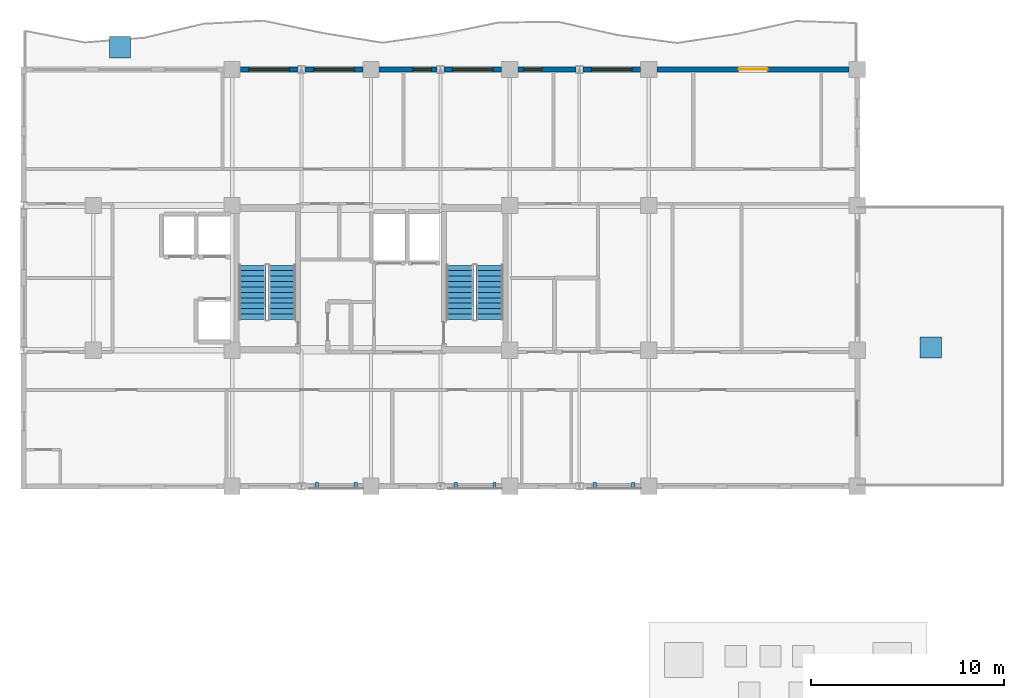
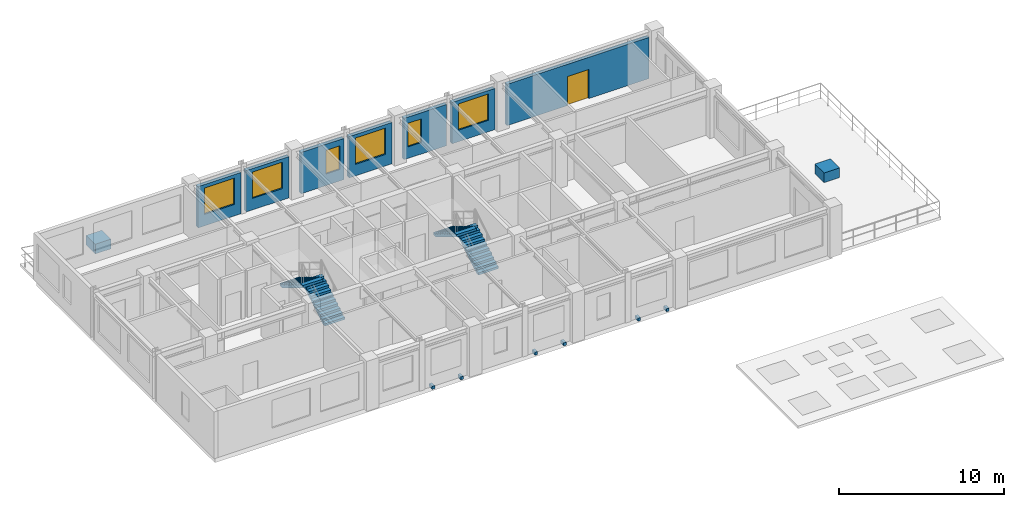
# One storey, part 6 of 8: 8 discrete accessories, 7 walls, 6 windows, 4 stair flights, 1 door, 7 openings, 2 elements without a shape of their own.
"""IFC4 building model written with IfcOpenShell, lengths in metres."""

from ifc_helpers import new_model, si_unit, direction, frame, frame_2d, origin, origin_2d, place, context, subcontext, project, spatial, polyline, rectangle, outline, extrude, source, transform, mapped, material, layer, layer_set, type_object, element, fill, aggregate, save


model = new_model("IFC4")

# Units and contexts
model_context = context("Model", 3, precision=1e-05, world=origin(), true_north=direction((0.0, 1.0)))
body_context = subcontext(model_context, "Body", "Model", "MODEL_VIEW")
ifc_project = project(units=[si_unit("LENGTHUNIT", "METRE"), si_unit("AREAUNIT", "SQUARE_METRE"), si_unit("VOLUMEUNIT", "CUBIC_METRE"), si_unit("PLANEANGLEUNIT", "RADIAN"), si_unit("MASSUNIT", "GRAM", prefix="KILO")], contexts=[model_context])

# Site, building, storey
site_placement = place(None, origin())
site = spatial("IfcSite", under=ifc_project, at=site_placement, CompositionType="ELEMENT")
building_placement = place(site_placement, origin())
building = spatial("IfcBuilding", under=site, at=building_placement, Name="Kaliganga Portal Commons", CompositionType="ELEMENT")
storey_placement = place(building_placement, frame((0.0, 0.0, 249.89990234375)))
storey = spatial("IfcBuildingStorey", under=building, at=storey_placement, Name="L64", CompositionType="ELEMENT", Elevation=249.89990234375)

# Wall, opening, door
ifc_material_1 = material(Name="Insulated Aluminium-Clad Spandrel Assembly", Category="aluminium")
ifc_layer = layer(ifc_material_1, 0.260009765625)
ifc_layer_set = layer_set([ifc_layer], Name="Insulated Aluminium-Clad Spandrel Assembly")
wall_type = type_object("IfcWallType", Name="WL-EXT-SPAND-260", PredefinedType="STANDARD", material=ifc_layer_set)
wall_1_placement = place(storey_placement, frame((36.426025390625, 43.199951171875, 0.0), z_axis=(0.0, 0.0, 1.0), x_axis=(1.0, 0.0, 0.0)))
wall_1 = element("IfcWall", 1, at=wall_1_placement, inside=storey, type_object=wall_type, Name="Exterior Envelope Wall L64 P1-E02-S1", PredefinedType="STANDARD", context=body_context, shape_type="SweptSolid", body=[
    extrude(rectangle(XDim=9.947998046875, YDim=0.260009765625, at=frame_2d((4.97412109375, 0.0))), origin(), (0.0, 0.0, 1.0), 3.05517578125),
])
opening_1_placement = place(wall_1_placement, frame((4.22412109375, 0.0, 0.0)))
opening_1 = element("IfcOpeningElement", 2, at=opening_1_placement, cuts=wall_1, Name="Opening BD-01", PredefinedType="OPENING", context=body_context, shape_type="SweptSolid", body=[
    extrude(rectangle(XDim=1.5, YDim=2.14990234375, at=frame_2d((0.75, 1.074951171875))), frame((0.0, 0.14013671875, 0.0), z_axis=(0.0, -1.0, 0.0), x_axis=(1.0, 0.0, 0.0)), (0.0, 0.0, 1.0), 0.280029296875),
])
ifc_material_2 = material(Name="Anodized Aluminium and Laminated Safety Glass", Category="aluminium")
door_type = type_object("IfcDoorType", Name="DR-BALC-1500", OperationType="SLIDING_TO_LEFT", PredefinedType="DOOR", material=ifc_material_2)
door_placement = place(opening_1_placement, origin())
door = element("IfcDoor", 3, at=door_placement, inside=storey, type_object=door_type, Name="Balcony Sliding Door L64 balc_north", OperationType="SLIDING_TO_LEFT", OverallHeight=2.14990234375, OverallWidth=1.5, PredefinedType="DOOR", context=body_context, shape_type="SweptSolid", body=[
    extrude(rectangle(XDim=1.5, YDim=2.14990234375, at=frame_2d((0.75, 1.074951171875))), frame((0.0, 0.02490234375, 0.0), z_axis=(0.0, -1.0, 0.0), x_axis=(1.0, 0.0, 0.0)), (0.0, 0.0, 1.0), 0.050048828125),
])
fill(opening_1, door)

# Wall, opening, window
wall_2_placement = place(storey_placement, frame((32.587890625, 43.199951171875, 0.0), z_axis=(0.0, 0.0, 1.0), x_axis=(1.0, 0.0, 0.0)))
wall_2 = element("IfcWall", 4, at=wall_2_placement, inside=storey, type_object=wall_type, Name="Exterior Envelope Wall L64 P1-E02-S2", PredefinedType="STANDARD", context=body_context, shape_type="SweptSolid", body=[
    extrude(rectangle(XDim=2.986083984375, YDim=0.260009765625, at=frame_2d((1.4931640625, 0.0))), origin(), (0.0, 0.0, 1.0), 3.05517578125),
])
opening_2_placement = place(wall_2_placement, frame((0.443115234375, 0.0, 0.85009765625)))
opening_2 = element("IfcOpeningElement", 5, at=opening_2_placement, cuts=wall_2, Name="Opening W-06", PredefinedType="OPENING", context=body_context, shape_type="SweptSolid", body=[
    extrude(rectangle(XDim=2.10009765625, YDim=1.949951171875, at=frame_2d((1.050048828125, 0.97509765625))), frame((0.0, 0.14013671875, 0.0), z_axis=(0.0, -1.0, 0.0), x_axis=(1.0, 0.0, 0.0)), (0.0, 0.0, 1.0), 0.280029296875),
])
ifc_material_3 = material(Name="Thermally Broken Aluminium and Low-E Double Glazing", Category="aluminium")
window_type_1 = type_object("IfcWindowType", Name="WIN-PAN-2100", PartitioningType="DOUBLE_PANEL_VERTICAL", PredefinedType="WINDOW", material=ifc_material_3)
window_1_placement = place(opening_2_placement, origin())
window_1 = element("IfcWindow", 6, at=window_1_placement, inside=storey, type_object=window_type_1, Name="Facade Window L64-P1E02S2-00", OverallHeight=1.949951171875, OverallWidth=2.10009765625, PartitioningType="SINGLE_PANEL", PredefinedType="WINDOW", context=body_context, shape_type="SweptSolid", body=[
    extrude(rectangle(XDim=2.10009765625, YDim=1.949951171875, at=frame_2d((1.050048828125, 0.97509765625))), frame((0.0, 0.030029296875, 0.0), z_axis=(0.0, -1.0, 0.0), x_axis=(1.0, 0.0, 0.0)), (0.0, 0.0, 1.0), 0.06005859375),
])
fill(opening_2, window_1)

wall_3_placement = place(storey_placement, frame((29.22607421875, 43.199951171875, 0.0), z_axis=(0.0, 0.0, 1.0), x_axis=(1.0, 0.0, 0.0)))
wall_3 = element("IfcWall", 7, at=wall_3_placement, inside=storey, type_object=wall_type, Name="Exterior Envelope Wall L64 P1-E02-S3", PredefinedType="STANDARD", context=body_context, shape_type="SweptSolid", body=[
    extrude(rectangle(XDim=2.98583984375, YDim=0.260009765625, at=frame_2d((1.492919921875, 0.0))), origin(), (0.0, 0.0, 1.0), 3.05517578125),
])
opening_3_placement = place(wall_3_placement, frame((0.277587890625, 0.0, 0.85009765625)))
opening_3 = element("IfcOpeningElement", 8, at=opening_3_placement, cuts=wall_3, Name="Opening W-04", PredefinedType="OPENING", context=body_context, shape_type="SweptSolid", body=[
    extrude(rectangle(XDim=0.949951171875, YDim=1.75, at=frame_2d((0.47509765625, 0.875))), frame((0.0, 0.14013671875, 0.0), z_axis=(0.0, -1.0, 0.0), x_axis=(1.0, 0.0, 0.0)), (0.0, 0.0, 1.0), 0.280029296875),
])
window_type_2 = type_object("IfcWindowType", Name="WIN-NARROW-950", PartitioningType="SINGLE_PANEL", PredefinedType="WINDOW", material=ifc_material_3)
window_2_placement = place(opening_3_placement, origin())
window_2 = element("IfcWindow", 9, at=window_2_placement, inside=storey, type_object=window_type_2, Name="Facade Window L64-P1E02S3-N1", OverallHeight=1.75, OverallWidth=0.949951171875, PartitioningType="SINGLE_PANEL", PredefinedType="WINDOW", context=body_context, shape_type="SweptSolid", body=[
    extrude(rectangle(XDim=0.949951171875, YDim=1.75, at=frame_2d((0.47509765625, 0.875))), frame((0.0, 0.030029296875, 0.0), z_axis=(0.0, -1.0, 0.0), x_axis=(1.0, 0.0, 0.0)), (0.0, 0.0, 1.0), 0.06005859375),
])
fill(opening_3, window_2)

wall_4_placement = place(storey_placement, frame((25.387939453125, 43.199951171875, 0.0), z_axis=(0.0, 0.0, 1.0), x_axis=(1.0, 0.0, 0.0)))
wall_4 = element("IfcWall", 10, at=wall_4_placement, inside=storey, type_object=wall_type, Name="Exterior Envelope Wall L64 P1-E02-S4", PredefinedType="STANDARD", context=body_context, shape_type="SweptSolid", body=[
    extrude(rectangle(XDim=2.986083984375, YDim=0.260009765625, at=frame_2d((1.4931640625, 0.0))), origin(), (0.0, 0.0, 1.0), 3.05517578125),
])
opening_4_placement = place(wall_4_placement, frame((0.443115234375, 0.0, 0.85009765625)))
opening_4 = element("IfcOpeningElement", 11, at=opening_4_placement, cuts=wall_4, Name="Opening W-06", PredefinedType="OPENING", context=body_context, shape_type="SweptSolid", body=[
    extrude(rectangle(XDim=2.10009765625, YDim=1.949951171875, at=frame_2d((1.050048828125, 0.97509765625))), frame((0.0, 0.14013671875, 0.0), z_axis=(0.0, -1.0, 0.0), x_axis=(1.0, 0.0, 0.0)), (0.0, 0.0, 1.0), 0.280029296875),
])
window_3_placement = place(opening_4_placement, origin())
window_3 = element("IfcWindow", 12, at=window_3_placement, inside=storey, type_object=window_type_1, Name="Facade Window L64-P1E02S4-00", OverallHeight=1.949951171875, OverallWidth=2.10009765625, PartitioningType="SINGLE_PANEL", PredefinedType="WINDOW", context=body_context, shape_type="SweptSolid", body=[
    extrude(rectangle(XDim=2.10009765625, YDim=1.949951171875, at=frame_2d((1.050048828125, 0.97509765625))), frame((0.0, 0.030029296875, 0.0), z_axis=(0.0, -1.0, 0.0), x_axis=(1.0, 0.0, 0.0)), (0.0, 0.0, 1.0), 0.06005859375),
])
fill(opening_4, window_3)

wall_5_placement = place(storey_placement, frame((22.02587890625, 43.199951171875, 0.0), z_axis=(0.0, 0.0, 1.0), x_axis=(1.0, 0.0, 0.0)))
wall_5 = element("IfcWall", 13, at=wall_5_placement, inside=storey, type_object=wall_type, Name="Exterior Envelope Wall L64 P1-E02-S5", PredefinedType="STANDARD", context=body_context, shape_type="SweptSolid", body=[
    extrude(rectangle(XDim=2.986083984375, YDim=0.260009765625, at=frame_2d((1.4931640625, 0.0))), origin(), (0.0, 0.0, 1.0), 3.05517578125),
])
opening_5_placement = place(wall_5_placement, frame((1.758544921875, 0.0, 0.85009765625)))
opening_5 = element("IfcOpeningElement", 14, at=opening_5_placement, cuts=wall_5, Name="Opening W-04", PredefinedType="OPENING", context=body_context, shape_type="SweptSolid", body=[
    extrude(rectangle(XDim=0.949951171875, YDim=1.75, at=frame_2d((0.47509765625, 0.875))), frame((0.0, 0.14013671875, 0.0), z_axis=(0.0, -1.0, 0.0), x_axis=(1.0, 0.0, 0.0)), (0.0, 0.0, 1.0), 0.280029296875),
])
window_4_placement = place(opening_5_placement, origin())
window_4 = element("IfcWindow", 15, at=window_4_placement, inside=storey, type_object=window_type_2, Name="Facade Window L64-P1E02S5-N2", OverallHeight=1.75, OverallWidth=0.949951171875, PartitioningType="SINGLE_PANEL", PredefinedType="WINDOW", context=body_context, shape_type="SweptSolid", body=[
    extrude(rectangle(XDim=0.949951171875, YDim=1.75, at=frame_2d((0.47509765625, 0.875))), frame((0.0, 0.030029296875, 0.0), z_axis=(0.0, -1.0, 0.0), x_axis=(1.0, 0.0, 0.0)), (0.0, 0.0, 1.0), 0.06005859375),
])
fill(opening_5, window_4)

wall_6_placement = place(storey_placement, frame((18.18798828125, 43.199951171875, 0.0), z_axis=(0.0, 0.0, 1.0), x_axis=(1.0, 0.0, 0.0)))
wall_6 = element("IfcWall", 16, at=wall_6_placement, inside=storey, type_object=wall_type, Name="Exterior Envelope Wall L64 P1-E02-S6", PredefinedType="STANDARD", context=body_context, shape_type="SweptSolid", body=[
    extrude(rectangle(XDim=2.986083984375, YDim=0.260009765625, at=frame_2d((1.4931640625, 0.0))), origin(), (0.0, 0.0, 1.0), 3.05517578125),
])
opening_6_placement = place(wall_6_placement, frame((0.443115234375, 0.0, 0.85009765625)))
opening_6 = element("IfcOpeningElement", 17, at=opening_6_placement, cuts=wall_6, Name="Opening W-06", PredefinedType="OPENING", context=body_context, shape_type="SweptSolid", body=[
    extrude(rectangle(XDim=2.10009765625, YDim=1.949951171875, at=frame_2d((1.050048828125, 0.97509765625))), frame((0.0, 0.14013671875, 0.0), z_axis=(0.0, -1.0, 0.0), x_axis=(1.0, 0.0, 0.0)), (0.0, 0.0, 1.0), 0.280029296875),
])
window_5_placement = place(opening_6_placement, origin())
window_5 = element("IfcWindow", 18, at=window_5_placement, inside=storey, type_object=window_type_1, Name="Facade Window L64-P1E02S6-00", OverallHeight=1.949951171875, OverallWidth=2.10009765625, PartitioningType="SINGLE_PANEL", PredefinedType="WINDOW", context=body_context, shape_type="SweptSolid", body=[
    extrude(rectangle(XDim=2.10009765625, YDim=1.949951171875, at=frame_2d((1.050048828125, 0.97509765625))), frame((0.0, 0.030029296875, 0.0), z_axis=(0.0, -1.0, 0.0), x_axis=(1.0, 0.0, 0.0)), (0.0, 0.0, 1.0), 0.06005859375),
])
fill(opening_6, window_5)

wall_7_placement = place(storey_placement, frame((14.825927734375, 43.199951171875, 0.0), z_axis=(0.0, 0.0, 1.0), x_axis=(1.0, 0.0, 0.0)))
wall_7 = element("IfcWall", 19, at=wall_7_placement, inside=storey, type_object=wall_type, Name="Exterior Envelope Wall L64 P1-E02-S7", PredefinedType="STANDARD", context=body_context, shape_type="SweptSolid", body=[
    extrude(rectangle(XDim=2.986083984375, YDim=0.260009765625, at=frame_2d((1.4931640625, 0.0))), origin(), (0.0, 0.0, 1.0), 3.05517578125),
])
opening_7_placement = place(wall_7_placement, frame((0.443115234375, 0.0, 0.85009765625)))
opening_7 = element("IfcOpeningElement", 20, at=opening_7_placement, cuts=wall_7, Name="Opening W-06", PredefinedType="OPENING", context=body_context, shape_type="SweptSolid", body=[
    extrude(rectangle(XDim=2.10009765625, YDim=1.949951171875, at=frame_2d((1.050048828125, 0.97509765625))), frame((0.0, 0.14013671875, 0.0), z_axis=(0.0, -1.0, 0.0), x_axis=(1.0, 0.0, 0.0)), (0.0, 0.0, 1.0), 0.280029296875),
])
window_6_placement = place(opening_7_placement, origin())
window_6 = element("IfcWindow", 21, at=window_6_placement, inside=storey, type_object=window_type_1, Name="Facade Window L64-P1E02S7-00", OverallHeight=1.949951171875, OverallWidth=2.10009765625, PartitioningType="SINGLE_PANEL", PredefinedType="WINDOW", context=body_context, shape_type="SweptSolid", body=[
    extrude(rectangle(XDim=2.10009765625, YDim=1.949951171875, at=frame_2d((1.050048828125, 0.97509765625))), frame((0.0, 0.030029296875, 0.0), z_axis=(0.0, -1.0, 0.0), x_axis=(1.0, 0.0, 0.0)), (0.0, 0.0, 1.0), 0.06005859375),
])
fill(opening_7, window_6)

# Stair, stair flights
ifc_material_4 = material(Name="Concrete C40/50", Category="concrete")
stair_type = type_object("IfcStairType", Name="ST-CORE-DOGLEG", PredefinedType="HALF_TURN_STAIR", material=ifc_material_4)
stair_1_placement = place(storey_placement, origin())
stair_1 = element("IfcStair", 22, at=stair_1_placement, inside=storey, type_object=stair_type, Name="L64 Protected Exit Stair ST-A1", PredefinedType="HALF_TURN_STAIR")
stair_flight_type = type_object("IfcStairFlightType", Name="STF-RC-1400", PredefinedType="STRAIGHT", material=ifc_material_4)
stair_flight_1_placement = place(storey_placement, frame((17.0, 30.25, 0.0), z_axis=(0.0, 0.0, 1.0), x_axis=(0.0, 1.0, 0.0)))
stair_flight_1 = element("IfcStairFlight", 23, at=stair_flight_1_placement, type_object=stair_flight_type, Name="ST-A1 flight 1", NumberOfRisers=11, NumberOfTreads=10, PredefinedType="STRAIGHT", RiserHeight=0.168181818, TreadLength=0.28, context=body_context, shape_type="SweptSolid", body=[
    extrude(outline(polyline([(0.0, 0.0), (0.0, 0.168212890625), (0.280029296875, 0.168212890625), (0.280029296875, 0.33642578125), (0.56005859375, 0.33642578125), (0.56005859375, 0.504638671875), (0.840087890625, 0.504638671875), (0.840087890625, 0.672607421875), (1.1201171875, 0.672607421875), (1.1201171875, 0.8408203125), (1.39990234375, 0.8408203125), (1.39990234375, 1.009033203125), (1.679931640625, 1.009033203125), (1.679931640625, 1.17724609375), (1.9599609375, 1.17724609375), (1.9599609375, 1.345458984375), (2.239990234375, 1.345458984375), (2.239990234375, 1.513671875), (2.52001953125, 1.513671875), (2.52001953125, 1.681884765625), (2.800048828125, 1.681884765625), (2.800048828125, 1.85009765625), (2.800048828125, 1.5068359375), (0.291015625, 0.0), (0.0, 0.0)])), frame((0.0, 0.699951171875, 0.0), z_axis=(0.0, -1.0, 0.0), x_axis=(1.0, 0.0, 0.0)), (0.0, 0.0, 1.0), 1.39990234375),
])
stair_flight_2_placement = place(storey_placement, frame((15.449951171875, 33.050048828125, 1.85009765625), z_axis=(0.0, 0.0, 1.0), x_axis=(0.0, -1.0, 0.0)))
stair_flight_2 = element("IfcStairFlight", 24, at=stair_flight_2_placement, type_object=stair_flight_type, Name="ST-A1 flight 2", NumberOfRisers=11, NumberOfTreads=10, PredefinedType="STRAIGHT", RiserHeight=0.168181818, TreadLength=0.28, context=body_context, shape_type="SweptSolid", body=[
    extrude(outline(polyline([(0.0, 0.0), (0.0, 0.168212890625), (0.280029296875, 0.168212890625), (0.280029296875, 0.33642578125), (0.56005859375, 0.33642578125), (0.56005859375, 0.504638671875), (0.840087890625, 0.504638671875), (0.840087890625, 0.672607421875), (1.1201171875, 0.672607421875), (1.1201171875, 0.8408203125), (1.39990234375, 0.8408203125), (1.39990234375, 1.009033203125), (1.679931640625, 1.009033203125), (1.679931640625, 1.17724609375), (1.9599609375, 1.17724609375), (1.9599609375, 1.345458984375), (2.239990234375, 1.345458984375), (2.239990234375, 1.513671875), (2.52001953125, 1.513671875), (2.52001953125, 1.681884765625), (2.800048828125, 1.681884765625), (2.800048828125, 1.85009765625), (2.800048828125, 1.5068359375), (0.291015625, 0.0), (0.0, 0.0)])), frame((0.0, 0.699951171875, 0.0), z_axis=(0.0, -1.0, 0.0), x_axis=(1.0, 0.0, 0.0)), (0.0, 0.0, 1.0), 1.39990234375),
])
aggregate(stair_1, [stair_flight_1, stair_flight_2])

stair_2_placement = place(storey_placement, origin())
stair_2 = element("IfcStair", 25, at=stair_2_placement, inside=storey, type_object=stair_type, Name="L64 Protected Exit Stair ST-A2", PredefinedType="HALF_TURN_STAIR")
stair_flight_3_placement = place(storey_placement, frame((27.75, 30.25, 0.0), z_axis=(0.0, 0.0, 1.0), x_axis=(0.0, 1.0, 0.0)))
stair_flight_3 = element("IfcStairFlight", 26, at=stair_flight_3_placement, type_object=stair_flight_type, Name="ST-A2 flight 1", NumberOfRisers=11, NumberOfTreads=10, PredefinedType="STRAIGHT", RiserHeight=0.168181818, TreadLength=0.28, context=body_context, shape_type="SweptSolid", body=[
    extrude(outline(polyline([(0.0, 0.0), (0.0, 0.168212890625), (0.280029296875, 0.168212890625), (0.280029296875, 0.33642578125), (0.56005859375, 0.33642578125), (0.56005859375, 0.504638671875), (0.840087890625, 0.504638671875), (0.840087890625, 0.672607421875), (1.1201171875, 0.672607421875), (1.1201171875, 0.8408203125), (1.39990234375, 0.8408203125), (1.39990234375, 1.009033203125), (1.679931640625, 1.009033203125), (1.679931640625, 1.17724609375), (1.9599609375, 1.17724609375), (1.9599609375, 1.345458984375), (2.239990234375, 1.345458984375), (2.239990234375, 1.513671875), (2.52001953125, 1.513671875), (2.52001953125, 1.681884765625), (2.800048828125, 1.681884765625), (2.800048828125, 1.85009765625), (2.800048828125, 1.5068359375), (0.291015625, 0.0), (0.0, 0.0)])), frame((0.0, 0.699951171875, 0.0), z_axis=(0.0, -1.0, 0.0), x_axis=(1.0, 0.0, 0.0)), (0.0, 0.0, 1.0), 1.39990234375),
])
stair_flight_4_placement = place(storey_placement, frame((26.199951171875, 33.050048828125, 1.85009765625), z_axis=(0.0, 0.0, 1.0), x_axis=(0.0, -1.0, 0.0)))
stair_flight_4 = element("IfcStairFlight", 27, at=stair_flight_4_placement, type_object=stair_flight_type, Name="ST-A2 flight 2", NumberOfRisers=11, NumberOfTreads=10, PredefinedType="STRAIGHT", RiserHeight=0.168181818, TreadLength=0.28, context=body_context, shape_type="SweptSolid", body=[
    extrude(outline(polyline([(0.0, 0.0), (0.0, 0.168212890625), (0.280029296875, 0.168212890625), (0.280029296875, 0.33642578125), (0.56005859375, 0.33642578125), (0.56005859375, 0.504638671875), (0.840087890625, 0.504638671875), (0.840087890625, 0.672607421875), (1.1201171875, 0.672607421875), (1.1201171875, 0.8408203125), (1.39990234375, 0.8408203125), (1.39990234375, 1.009033203125), (1.679931640625, 1.009033203125), (1.679931640625, 1.17724609375), (1.9599609375, 1.17724609375), (1.9599609375, 1.345458984375), (2.239990234375, 1.345458984375), (2.239990234375, 1.513671875), (2.52001953125, 1.513671875), (2.52001953125, 1.681884765625), (2.800048828125, 1.681884765625), (2.800048828125, 1.85009765625), (2.800048828125, 1.5068359375), (0.291015625, 0.0), (0.0, 0.0)])), frame((0.0, 0.699951171875, 0.0), z_axis=(0.0, -1.0, 0.0), x_axis=(1.0, 0.0, 0.0)), (0.0, 0.0, 1.0), 1.39990234375),
])
aggregate(stair_2, [stair_flight_3, stair_flight_4])

# Discrete accessories
ifc_material_5 = material(Name="Precast concrete C40/50", Category="concrete")
discrete_accessory_type_1 = type_object("IfcDiscreteAccessoryType", Name="DAC-PLANTER-RC", PredefinedType="USERDEFINED", material=ifc_material_5)
shared_shape_1 = source(origin(), body_context, "Body", "SweptSolid", [
    extrude(rectangle(XDim=1.10009765625, YDim=1.10009765625, at=origin_2d()), origin(), (0.0, 0.0, 1.0), 0.719970703125),
])
for number, where, z_axis, x_axis, name in (
    (28, (8.60009765625, 44.35009765625, 0.0), (0.0, 0.0, 1.0), (1.0, 0.0, 0.0), "Structural Tree Planter L64 balc_north"),
    (29, (50.60009765625, 28.800048828125, 0.0), (0.0, 0.0, 1.0), (1.0, 0.0, 0.0), "Sky-Garden Tree Planter L64 wing_b_roof_terrace"),
):
    element("IfcDiscreteAccessory", number, at=place(storey_placement, frame(where, z_axis=z_axis, x_axis=x_axis)), inside=storey, type_object=discrete_accessory_type_1, Name=name, ObjectType="PLANTER", PredefinedType="USERDEFINED", context=body_context, shape_type="MappedRepresentation", body=[
        mapped(shared_shape_1, transform((0.0, 0.0, 0.0), x_axis=(1.0, 0.0, 0.0), y_axis=(0.0, 1.0, 0.0), z_axis=(0.0, 0.0, 1.0), scale=1.0)),
    ])
ifc_material_6 = material(Name="Structural steel S355J2", Category="steel")
discrete_accessory_type_2 = type_object("IfcDiscreteAccessoryType", Name="DAC-BRK-SCR", PredefinedType="BRACKET", material=ifc_material_6)
shared_shape_2 = source(origin(), body_context, "Body", "SweptSolid", [
    extrude(rectangle(XDim=0.179931640625, YDim=0.360107421875, at=origin_2d()), origin(), (0.0, 0.0, 1.0), 0.219970703125),
])
for number, where, z_axis, x_axis, name in (
    (30, (18.800048828125, 21.6201171875, -0.18994140625), (0.0, 0.0, 1.0), (1.0, 0.0, 0.0), "Solar Screen Outrigger Bracket L64-S1-1"),
    (31, (20.800048828125, 21.6201171875, -0.18994140625), (0.0, 0.0, 1.0), (1.0, 0.0, 0.0), "Solar Screen Outrigger Bracket L64-S1-2"),
    (32, (26.0, 21.6201171875, -0.18994140625), (0.0, 0.0, 1.0), (1.0, 0.0, 0.0), "Solar Screen Outrigger Bracket L64-S2-1"),
    (33, (28.0, 21.6201171875, -0.18994140625), (0.0, 0.0, 1.0), (1.0, 0.0, 0.0), "Solar Screen Outrigger Bracket L64-S2-2"),
    (34, (33.199951171875, 21.6201171875, -0.18994140625), (0.0, 0.0, 1.0), (1.0, 0.0, 0.0), "Solar Screen Outrigger Bracket L64-S3-1"),
    (35, (35.199951171875, 21.6201171875, -0.18994140625), (0.0, 0.0, 1.0), (1.0, 0.0, 0.0), "Solar Screen Outrigger Bracket L64-S3-2"),
):
    element("IfcDiscreteAccessory", number, at=place(storey_placement, frame(where, z_axis=z_axis, x_axis=x_axis)), inside=storey, type_object=discrete_accessory_type_2, Name=name, PredefinedType="BRACKET", context=body_context, shape_type="MappedRepresentation", body=[
        mapped(shared_shape_2, transform((0.0, 0.0, 0.0), x_axis=(1.0, 0.0, 0.0), y_axis=(0.0, 1.0, 0.0), z_axis=(0.0, 0.0, 1.0), scale=1.0)),
    ])

save(model, "model.ifc")
